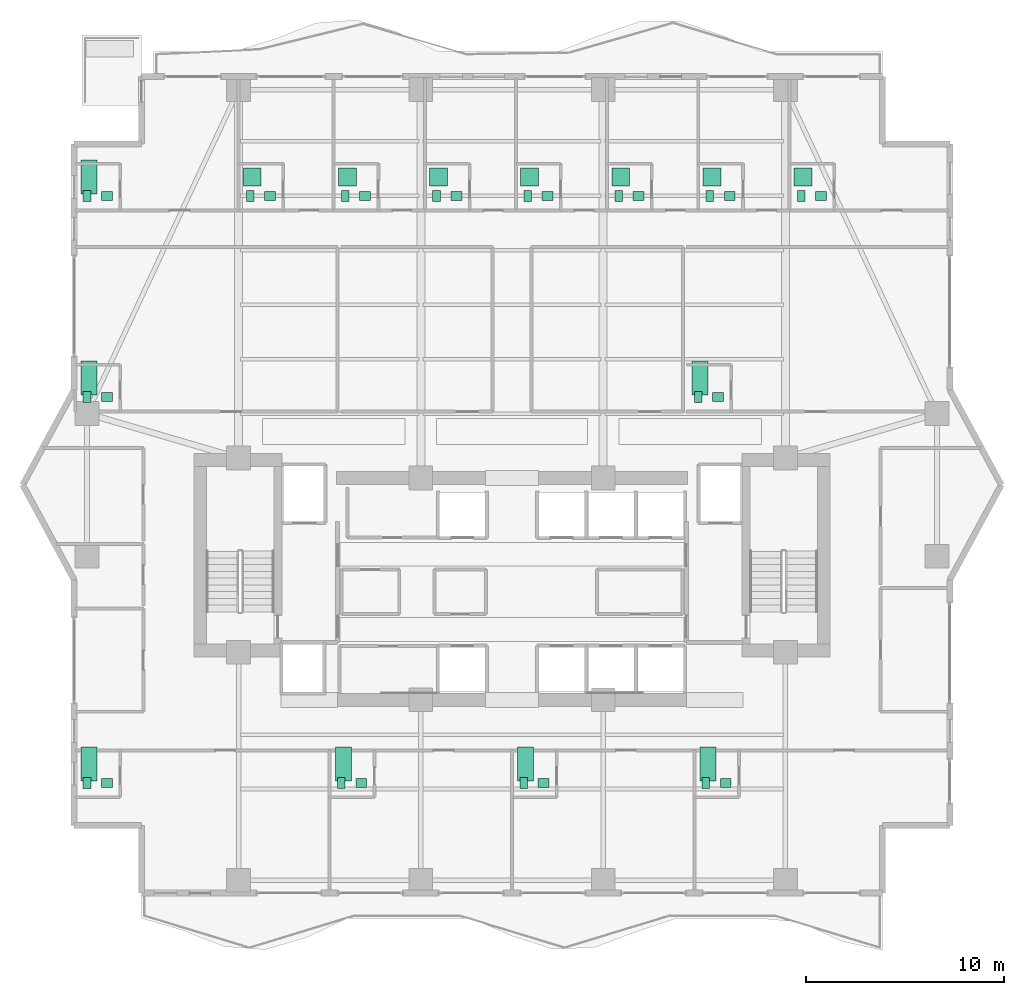
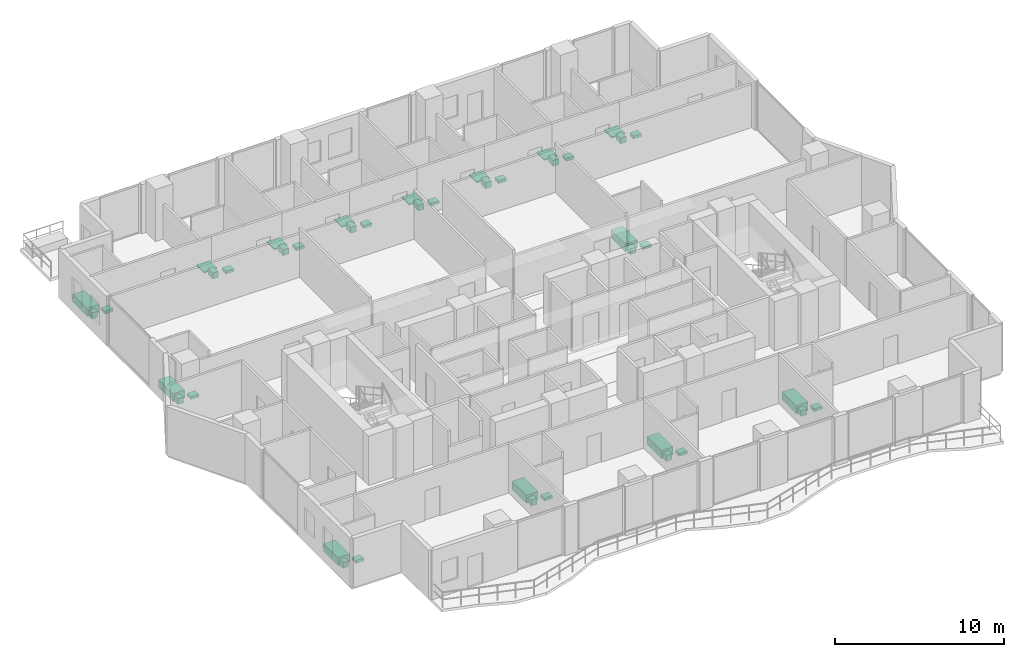
# One storey, part 32 of 32: 42 sanitary terminals.
"""IFC4 building model written with IfcOpenShell, lengths in metres."""

from ifc_helpers import new_model, si_unit, direction, frame, origin, origin_2d, place, context, subcontext, project, spatial, rectangle, extrude, material, type_object, element, save


model = new_model("IFC4")

# Units and contexts
model_context = context("Model", 3, precision=1e-05, world=origin(), true_north=direction((0.0, 1.0)))
body_context = subcontext(model_context, "Body", "Model", "MODEL_VIEW")
ifc_project = project(units=[si_unit("LENGTHUNIT", "METRE"), si_unit("AREAUNIT", "SQUARE_METRE"), si_unit("VOLUMEUNIT", "CUBIC_METRE"), si_unit("PLANEANGLEUNIT", "RADIAN"), si_unit("MASSUNIT", "GRAM", prefix="KILO")], contexts=[model_context])

# Site, building, storey
site_placement = place(None, origin())
site = spatial("IfcSite", under=ifc_project, at=site_placement, CompositionType="ELEMENT")
building_placement = place(site_placement, origin())
building = spatial("IfcBuilding", under=site, at=building_placement, Name="Zuhayl Quay Hotel", CompositionType="ELEMENT")
storey_placement = place(building_placement, frame((0.0, 0.0, 226.14990234375)))
storey = spatial("IfcBuildingStorey", under=building, at=storey_placement, Name="L57", CompositionType="ELEMENT", Elevation=226.14990234375)

# Sanitary terminals
ifc_material = material(Name="Vitreous Porcelain Sanitaryware")
sanitary_terminal_type_1 = type_object("IfcSanitaryTerminalType", Name="SAN_BASIN", PredefinedType="WASHHANDBASIN", material=ifc_material)
for number, where, z_axis, x_axis, name in (
    (1, (-20.449951171875, 27.590087890625, 0.0), (0.0, 0.0, 1.0), (1.0, 0.0, 0.0), "L57 Sanitary Fixture WASHHANDBASIN"),
    (2, (-12.2099609375, 27.590087890625, 0.0), (0.0, 0.0, 1.0), (1.0, 0.0, 0.0), "L57 Sanitary Fixture WASHHANDBASIN"),
    (3, (-7.409912109375, 27.590087890625, 0.0), (0.0, 0.0, 1.0), (1.0, 0.0, 0.0), "L57 Sanitary Fixture WASHHANDBASIN"),
    (4, (-2.81005859375, 27.590087890625, 0.0), (0.0, 0.0, 1.0), (1.0, 0.0, 0.0), "L57 Sanitary Fixture WASHHANDBASIN"),
    (5, (1.7900390625, 27.590087890625, 0.0), (0.0, 0.0, 1.0), (1.0, 0.0, 0.0), "L57 Sanitary Fixture WASHHANDBASIN"),
    (6, (6.389892578125, 27.590087890625, 0.0), (0.0, 0.0, 1.0), (1.0, 0.0, 0.0), "L57 Sanitary Fixture WASHHANDBASIN"),
    (7, (10.989990234375, 27.590087890625, 0.0), (0.0, 0.0, 1.0), (1.0, 0.0, 0.0), "L57 Sanitary Fixture WASHHANDBASIN"),
    (8, (15.590087890625, 27.590087890625, 0.0), (0.0, 0.0, 1.0), (1.0, 0.0, 0.0), "L57 Sanitary Fixture WASHHANDBASIN"),
    (9, (-20.449951171875, 17.43994140625, 0.0), (0.0, 0.0, 1.0), (1.0, 0.0, 0.0), "L57 Sanitary Fixture WASHHANDBASIN"),
    (10, (10.389892578125, 17.43994140625, 0.0), (0.0, 0.0, 1.0), (1.0, 0.0, 0.0), "L57 Sanitary Fixture WASHHANDBASIN"),
    (11, (-20.449951171875, -2.0400390625, 0.0), (0.0, 0.0, 1.0), (1.0, 0.0, 0.0), "L57 Sanitary Fixture WASHHANDBASIN"),
    (12, (-7.610107421875, -2.0400390625, 0.0), (0.0, 0.0, 1.0), (1.0, 0.0, 0.0), "L57 Sanitary Fixture WASHHANDBASIN"),
    (13, (1.590087890625, -2.0400390625, 0.0), (0.0, 0.0, 1.0), (1.0, 0.0, 0.0), "L57 Sanitary Fixture WASHHANDBASIN"),
    (14, (10.7900390625, -2.0400390625, 0.0), (0.0, 0.0, 1.0), (1.0, 0.0, 0.0), "L57 Sanitary Fixture WASHHANDBASIN"),
):
    element("IfcSanitaryTerminal", number, at=place(storey_placement, frame(where, z_axis=z_axis, x_axis=x_axis)), inside=storey, type_object=sanitary_terminal_type_1, Name=name, PredefinedType="WASHHANDBASIN", context=body_context, shape_type="SweptSolid", body=[
        extrude(rectangle(XDim=0.550048828125, YDim=0.449951171875, at=origin_2d()), origin(), (0.0, 0.0, 1.0), 0.199951171875),
    ])
sanitary_terminal_type_2 = type_object("IfcSanitaryTerminalType", Name="SAN_BATH", PredefinedType="BATH", material=ifc_material)
for number, where, z_axis, x_axis, name in (
    (15, (-21.35009765625, 28.5400390625, 0.0), (0.0, 0.0, 1.0), (1.0, 0.0, 0.0), "L57 Sanitary Fixture BATH"),
    (16, (-21.35009765625, 18.389892578125, 0.0), (0.0, 0.0, 1.0), (1.0, 0.0, 0.0), "L57 Sanitary Fixture BATH"),
    (17, (9.489990234375, 18.389892578125, 0.0), (0.0, 0.0, 1.0), (1.0, 0.0, 0.0), "L57 Sanitary Fixture BATH"),
    (18, (-21.35009765625, -1.090087890625, 0.0), (0.0, 0.0, 1.0), (1.0, 0.0, 0.0), "L57 Sanitary Fixture BATH"),
    (19, (-8.510009765625, -1.090087890625, 0.0), (0.0, 0.0, 1.0), (1.0, 0.0, 0.0), "L57 Sanitary Fixture BATH"),
    (20, (0.68994140625, -1.090087890625, 0.0), (0.0, 0.0, 1.0), (1.0, 0.0, 0.0), "L57 Sanitary Fixture BATH"),
    (21, (9.889892578125, -1.090087890625, 0.0), (0.0, 0.0, 1.0), (1.0, 0.0, 0.0), "L57 Sanitary Fixture BATH"),
):
    element("IfcSanitaryTerminal", number, at=place(storey_placement, frame(where, z_axis=z_axis, x_axis=x_axis)), inside=storey, type_object=sanitary_terminal_type_2, Name=name, PredefinedType="BATH", context=body_context, shape_type="SweptSolid", body=[
        extrude(rectangle(XDim=0.800048828125, YDim=1.699951171875, at=origin_2d()), origin(), (0.0, 0.0, 1.0), 0.580078125),
    ])
sanitary_terminal_type_3 = type_object("IfcSanitaryTerminalType", Name="SAN_SHOWER", PredefinedType="SHOWER", material=ifc_material)
for number, where, z_axis, x_axis, name in (
    (22, (-13.110107421875, 28.5400390625, 0.0), (0.0, 0.0, 1.0), (1.0, 0.0, 0.0), "L57 Sanitary Fixture SHOWER"),
    (23, (-8.31005859375, 28.5400390625, 0.0), (0.0, 0.0, 1.0), (1.0, 0.0, 0.0), "L57 Sanitary Fixture SHOWER"),
    (24, (-3.7099609375, 28.5400390625, 0.0), (0.0, 0.0, 1.0), (1.0, 0.0, 0.0), "L57 Sanitary Fixture SHOWER"),
    (25, (0.889892578125, 28.5400390625, 0.0), (0.0, 0.0, 1.0), (1.0, 0.0, 0.0), "L57 Sanitary Fixture SHOWER"),
    (26, (5.489990234375, 28.5400390625, 0.0), (0.0, 0.0, 1.0), (1.0, 0.0, 0.0), "L57 Sanitary Fixture SHOWER"),
    (27, (10.090087890625, 28.5400390625, 0.0), (0.0, 0.0, 1.0), (1.0, 0.0, 0.0), "L57 Sanitary Fixture SHOWER"),
    (28, (14.68994140625, 28.5400390625, 0.0), (0.0, 0.0, 1.0), (1.0, 0.0, 0.0), "L57 Sanitary Fixture SHOWER"),
):
    element("IfcSanitaryTerminal", number, at=place(storey_placement, frame(where, z_axis=z_axis, x_axis=x_axis)), inside=storey, type_object=sanitary_terminal_type_3, Name=name, PredefinedType="SHOWER", context=body_context, shape_type="SweptSolid", body=[
        extrude(rectangle(XDim=0.89990234375, YDim=0.89990234375, at=origin_2d()), origin(), (0.0, 0.0, 1.0), 0.080078125),
    ])
sanitary_terminal_type_4 = type_object("IfcSanitaryTerminalType", Name="SAN_WC", PredefinedType="TOILETPAN", material=ifc_material)
for number, where, z_axis, x_axis, name in (
    (29, (-21.449951171875, 27.590087890625, 0.000244140625), (0.0, 0.0, 1.0), (1.0, 0.0, 0.0), "L57 Sanitary Fixture TOILETPAN"),
    (30, (-13.2099609375, 27.590087890625, 0.000244140625), (0.0, 0.0, 1.0), (1.0, 0.0, 0.0), "L57 Sanitary Fixture TOILETPAN"),
    (31, (-8.409912109375, 27.590087890625, 0.000244140625), (0.0, 0.0, 1.0), (1.0, 0.0, 0.0), "L57 Sanitary Fixture TOILETPAN"),
    (32, (-3.81005859375, 27.590087890625, 0.000244140625), (0.0, 0.0, 1.0), (1.0, 0.0, 0.0), "L57 Sanitary Fixture TOILETPAN"),
    (33, (0.7900390625, 27.590087890625, 0.000244140625), (0.0, 0.0, 1.0), (1.0, 0.0, 0.0), "L57 Sanitary Fixture TOILETPAN"),
    (34, (5.389892578125, 27.590087890625, 0.000244140625), (0.0, 0.0, 1.0), (1.0, 0.0, 0.0), "L57 Sanitary Fixture TOILETPAN"),
    (35, (9.989990234375, 27.590087890625, 0.000244140625), (0.0, 0.0, 1.0), (1.0, 0.0, 0.0), "L57 Sanitary Fixture TOILETPAN"),
    (36, (14.590087890625, 27.590087890625, 0.000244140625), (0.0, 0.0, 1.0), (1.0, 0.0, 0.0), "L57 Sanitary Fixture TOILETPAN"),
    (37, (-21.449951171875, 17.43994140625, 0.000244140625), (0.0, 0.0, 1.0), (1.0, 0.0, 0.0), "L57 Sanitary Fixture TOILETPAN"),
    (38, (9.389892578125, 17.43994140625, 0.000244140625), (0.0, 0.0, 1.0), (1.0, 0.0, 0.0), "L57 Sanitary Fixture TOILETPAN"),
    (39, (-21.449951171875, -2.0400390625, 0.000244140625), (0.0, 0.0, 1.0), (1.0, 0.0, 0.0), "L57 Sanitary Fixture TOILETPAN"),
    (40, (-8.610107421875, -2.0400390625, 0.000244140625), (0.0, 0.0, 1.0), (1.0, 0.0, 0.0), "L57 Sanitary Fixture TOILETPAN"),
    (41, (0.590087890625, -2.0400390625, 0.000244140625), (0.0, 0.0, 1.0), (1.0, 0.0, 0.0), "L57 Sanitary Fixture TOILETPAN"),
    (42, (9.7900390625, -2.0400390625, 0.000244140625), (0.0, 0.0, 1.0), (1.0, 0.0, 0.0), "L57 Sanitary Fixture TOILETPAN"),
):
    element("IfcSanitaryTerminal", number, at=place(storey_placement, frame(where, z_axis=z_axis, x_axis=x_axis)), inside=storey, type_object=sanitary_terminal_type_4, Name=name, PredefinedType="TOILETPAN", context=body_context, shape_type="SweptSolid", body=[
        extrude(rectangle(XDim=0.3798828125, YDim=0.56005859375, at=origin_2d()), origin(), (0.0, 0.0, 1.0), 0.419921875),
    ])

save(model, "model.ifc")
